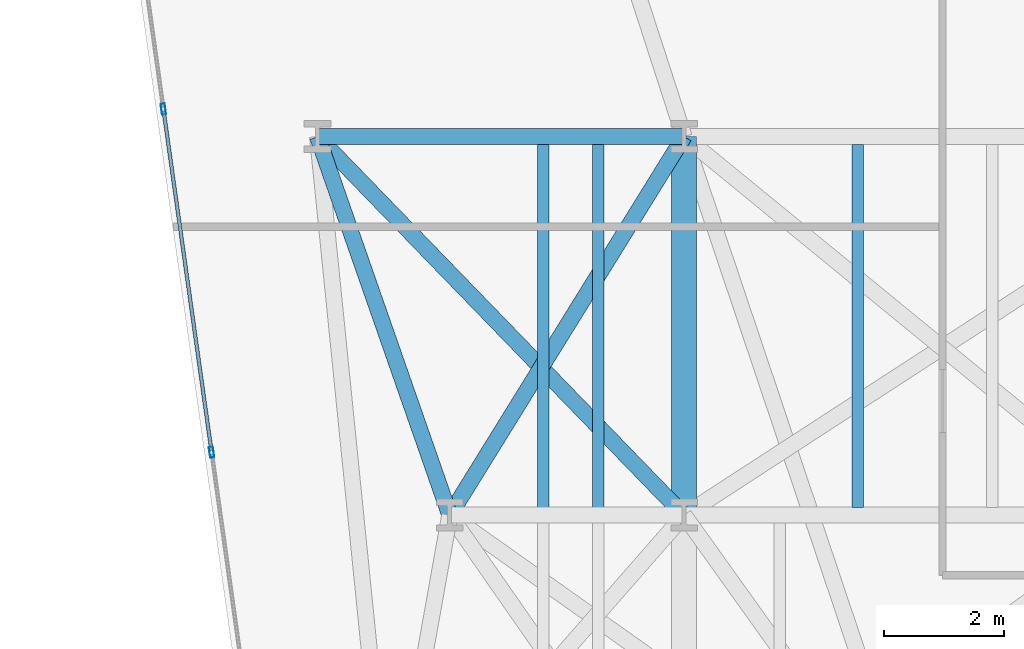
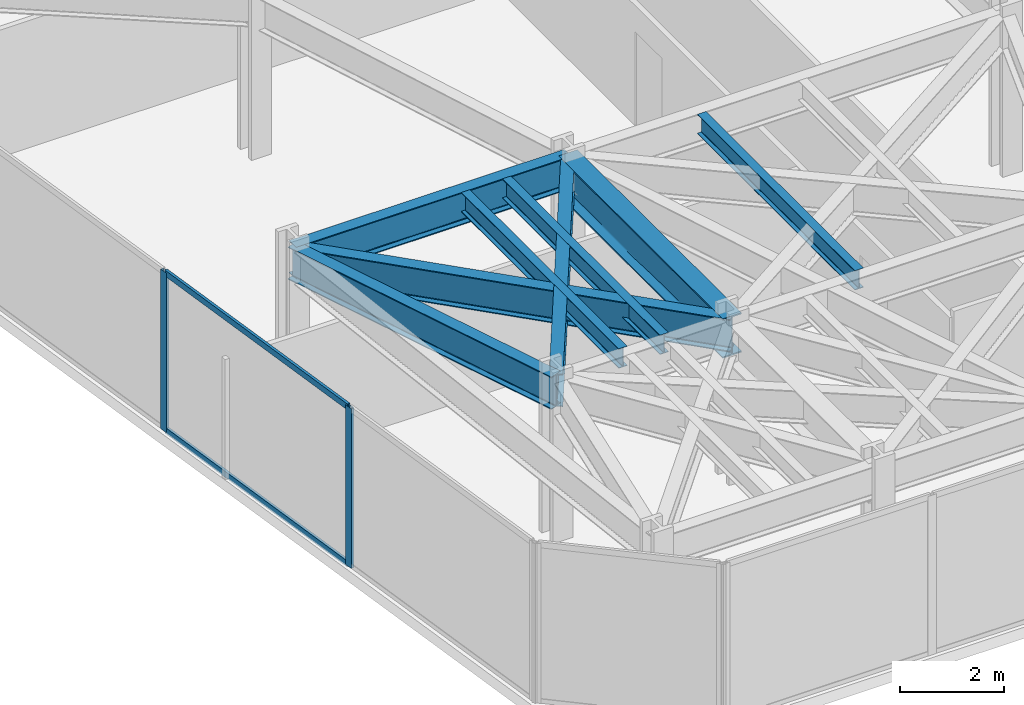
# One storey, part 4 of 25: 8 beams, 4 members, 1 element without a shape of its own.
"""IFC4 building model written with IfcOpenShell, lengths in metres."""

from ifc_helpers import new_model, si_unit, direction, frame, origin, origin_2d, place, context, subcontext, project, spatial, hollow_rectangle, i_section, extrude, material, layer, layer_set, material_profile, profile_set, type_object, element, aggregate, save


model = new_model("IFC4")

# Units and contexts
model_context = context("Model", 3, precision=1e-05, world=origin(), true_north=direction((0.0, 1.0)))
body_context = subcontext(model_context, "Body", "Model", "MODEL_VIEW")
ifc_project = project(units=[si_unit("LENGTHUNIT", "METRE"), si_unit("AREAUNIT", "SQUARE_METRE"), si_unit("VOLUMEUNIT", "CUBIC_METRE"), si_unit("PLANEANGLEUNIT", "RADIAN"), si_unit("MASSUNIT", "GRAM", prefix="KILO")], contexts=[model_context])

# Site, building, storey
site_placement = place(None, origin())
site = spatial("IfcSite", under=ifc_project, at=site_placement, CompositionType="ELEMENT")
building_placement = place(site_placement, origin())
building = spatial("IfcBuilding", under=site, at=building_placement, Name="Kravanh Interchange Tower", CompositionType="ELEMENT")
storey_placement = place(building_placement, frame((0.0, 0.0, 41.5)))
storey = spatial("IfcBuildingStorey", under=building, at=storey_placement, Name="L09", CompositionType="ELEMENT", Elevation=41.5)

# Curtain wall, members
ifc_material_1 = material(Name="Anodised Bronze Aluminium", Category="aluminium")
ifc_layer = layer(ifc_material_1, 0.179931640625)
ifc_layer_set = layer_set([ifc_layer], Name="Unitised Curtain Wall System CW-Z1 Lower Office")
curtain_wall_type = type_object("IfcCurtainWallType", Name="Unitised Curtain Wall System CW-Z1 Lower Office", PredefinedType="NOTDEFINED", material=ifc_layer_set)
curtain_wall_placement = place(storey_placement, origin())
curtain_wall = element("IfcCurtainWall", 1, at=curtain_wall_placement, inside=storey, type_object=curtain_wall_type, Name="L09 Unitised Curtain Wall CW-L09-01", PredefinedType="NOTDEFINED")
ifc_material_2 = material(Name="Anodised Bronze Aluminium", Category="aluminium")
ifc_material_profile_1 = material_profile(ifc_material_2, hollow_rectangle(XDim=0.070068359375, YDim=0.179931640625, WallThickness=0.00390625, at=origin_2d()), Name="ALU70X180X4")
ifc_profile_set_1 = profile_set([ifc_material_profile_1], Name="Anodised Bronze Aluminium")
member_type_1 = type_object("IfcMemberType", Name="Curtain Wall Mullion ALU70X180X4 Bronze", PredefinedType="MULLION", material=ifc_profile_set_1)
member_1_placement = place(storey_placement, frame((9.6376953125, 9.247314453125, 0.0), z_axis=(0.0, 0.0, 1.0), x_axis=(-0.990267585682, -0.139176538065, 0.0)))
member_1 = element("IfcMember", 2, at=member_1_placement, type_object=member_type_1, Name="CW-Z1 mullion 2", PredefinedType="MULLION", context=body_context, shape_type="SweptSolid", body=[
    extrude(hollow_rectangle(XDim=0.070068359375, YDim=0.179931640625, WallThickness=0.00390625, at=origin_2d()), origin(), (0.0, 0.0, 1.0), 3.739990234375),
])
member_2_placement = place(storey_placement, frame((8.835205078125, 14.957763671875, 0.0), z_axis=(0.0, 0.0, 1.0), x_axis=(-0.990267585682, -0.139176538065, 0.0)))
member_2 = element("IfcMember", 3, at=member_2_placement, type_object=member_type_1, Name="CW-Z1 mullion 3", PredefinedType="MULLION", context=body_context, shape_type="SweptSolid", body=[
    extrude(hollow_rectangle(XDim=0.070068359375, YDim=0.179931640625, WallThickness=0.00390625, at=origin_2d()), origin(), (0.0, 0.0, 1.0), 3.739990234375),
])
ifc_material_3 = material(Name="Anodised Bronze Aluminium", Category="aluminium")
ifc_material_profile_2 = material_profile(ifc_material_3, hollow_rectangle(XDim=0.06005859375, YDim=0.139892578125, WallThickness=0.00390625, at=origin_2d()), Name="ALU60X140X4")
ifc_profile_set_2 = profile_set([ifc_material_profile_2], Name="Anodised Bronze Aluminium")
member_type_2 = type_object("IfcMemberType", Name="Curtain Wall Transom ALU60X140X4 Bronze", PredefinedType="USERDEFINED", material=ifc_profile_set_2)
member_3_placement = place(storey_placement, frame((9.633056640625, 9.281982421875, 0.030029296875), z_axis=(-0.139200984921, 0.990264149506, 0.0), x_axis=(-0.990264149506, -0.139200984921, 0.0)))
member_3 = element("IfcMember", 4, at=member_3_placement, type_object=member_type_2, Name="CW-Z1 transom 2.1", ObjectType="TRANSOM", PredefinedType="USERDEFINED", context=body_context, shape_type="SweptSolid", body=[
    extrude(hollow_rectangle(XDim=0.06005859375, YDim=0.139892578125, WallThickness=0.00390625, at=origin_2d()), origin(), (0.0, 0.0, 1.0), 5.696533203125),
])
member_4_placement = place(storey_placement, frame((9.633056640625, 9.281982421875, 3.7099609375), z_axis=(-0.139200984921, 0.990264149506, 0.0), x_axis=(-0.990264149506, -0.139200984921, 0.0)))
member_4 = element("IfcMember", 5, at=member_4_placement, type_object=member_type_2, Name="CW-Z1 transom 2.2", ObjectType="TRANSOM", PredefinedType="USERDEFINED", context=body_context, shape_type="SweptSolid", body=[
    extrude(hollow_rectangle(XDim=0.06005859375, YDim=0.139892578125, WallThickness=0.00390625, at=origin_2d()), origin(), (0.0, 0.0, 1.0), 5.696533203125),
])
aggregate(curtain_wall, [member_1, member_2, member_3, member_4])

# Beams
ifc_material_4 = material(Name="Structural Steel S355", Category="steel")
ifc_material_profile_3 = material_profile(ifc_material_4, i_section(OverallWidth=0.41796875, OverallDepth=0.927001953125, WebThickness=0.019287109375, FlangeThickness=0.031982421875, FilletRadius=0.028076171875, at=origin_2d()), Name="W36X231")
ifc_profile_set_3 = profile_set([ifc_material_profile_3], Name="Structural Steel S355")
beam_type_1 = type_object("IfcBeamType", Name="Floor Beam W36X231 Structural Steel S355", PredefinedType="BEAM", material=ifc_profile_set_3)
beam_1_placement = place(storey_placement, frame((17.5, 8.199951171875, 3.276611328125), z_axis=(0.0, 1.0, 0.0), x_axis=(-1.0, 0.0, 0.0)))
element("IfcBeam", 6, at=beam_1_placement, inside=storey, type_object=beam_type_1, Name="L09 Primary Floor Girder 136", PredefinedType="BEAM", context=body_context, shape_type="SweptSolid", body=[
    extrude(i_section(OverallWidth=0.41796875, OverallDepth=0.927001953125, WebThickness=0.019287109375, FlangeThickness=0.031982421875, FilletRadius=0.028076171875, at=origin_2d()), origin(), (0.0, 0.0, 1.0), 6.300048828125),
])
ifc_material_5 = material(Name="Structural Steel S355", Category="steel")
ifc_material_profile_4 = material_profile(ifc_material_5, i_section(OverallWidth=0.18994140625, OverallDepth=0.45703125, WebThickness=0.009033203125, FlangeThickness=0.014404296875, FilletRadius=0.01806640625, at=origin_2d()), Name="W18X50")
ifc_profile_set_4 = profile_set([ifc_material_profile_4], Name="Structural Steel S355")
beam_type_2 = type_object("IfcBeamType", Name="Floor Joist W18X50 Structural Steel S355", PredefinedType="JOIST", material=ifc_profile_set_4)
for number, where, z_axis, x_axis, name in (
    (7, (15.159912109375, 8.32861328125, 3.511474609375), (0.0, 1.0, 0.0), (-1.0, 0.0, 0.0), "L09 Secondary Floor Joist 7"),
    (8, (16.070068359375, 8.32861328125, 3.511474609375), (0.0, 1.0, 0.0), (-1.0, 0.0, 0.0), "L09 Secondary Floor Joist 8"),
    (9, (20.389892578125, 8.32861328125, 3.511474609375), (0.0, 1.0, 0.0), (-1.0, 0.0, 0.0), "L09 Secondary Floor Joist 9"),
):
    element("IfcBeam", number, at=place(storey_placement, frame(where, z_axis=z_axis, x_axis=x_axis)), inside=storey, type_object=beam_type_2, Name=name, PredefinedType="JOIST", context=body_context, shape_type="SweptSolid", body=[
        extrude(i_section(OverallWidth=0.18994140625, OverallDepth=0.45703125, WebThickness=0.009033203125, FlangeThickness=0.014404296875, FilletRadius=0.01806640625, at=origin_2d()), origin(), (0.0, 0.0, 1.0), 6.04296875),
    ])
ifc_material_6 = material(Name="Structural Steel S355", Category="steel")
ifc_material_profile_5 = material_profile(ifc_material_6, i_section(OverallWidth=0.26708984375, OverallDepth=0.761962890625, WebThickness=0.014404296875, FlangeThickness=0.021484375, FilletRadius=0.02490234375, at=origin_2d()), Name="W30X116")
ifc_profile_set_5 = profile_set([ifc_material_profile_5], Name="Structural Steel S355")
beam_type_3 = type_object("IfcBeamType", Name="Floor Spandrel W30X116 Structural Steel S355", PredefinedType="SPANDREL", material=ifc_profile_set_5)
beam_2_placement = place(storey_placement, frame((13.60009765625, 8.199951171875, 3.35888671875), z_axis=(-0.329706642337, 0.944083433812, 0.0), x_axis=(-0.944083433812, -0.329706642337, 0.0)))
element("IfcBeam", 10, at=beam_2_placement, inside=storey, type_object=beam_type_3, Name="L09 Perimeter Spandrel 134", PredefinedType="SPANDREL", context=body_context, shape_type="SweptSolid", body=[
    extrude(i_section(OverallWidth=0.26708984375, OverallDepth=0.761962890625, WebThickness=0.014404296875, FlangeThickness=0.021484375, FilletRadius=0.02490234375, at=origin_2d()), origin(), (0.0, 0.0, 1.0), 6.673095703125),
])
beam_3_placement = place(storey_placement, frame((13.60009765625, 8.199951171875, 3.35888671875), z_axis=(0.5263421368, 0.850272870923, 0.0), x_axis=(-0.850272870923, 0.5263421368, 0.0)))
element("IfcBeam", 11, at=beam_3_placement, inside=storey, type_object=beam_type_3, Name="L09 Perimeter Spandrel 135", PredefinedType="SPANDREL", context=body_context, shape_type="SweptSolid", body=[
    extrude(i_section(OverallWidth=0.26708984375, OverallDepth=0.761962890625, WebThickness=0.014404296875, FlangeThickness=0.021484375, FilletRadius=0.02490234375, at=origin_2d()), origin(), (0.0, 0.0, 1.0), 7.409423828125),
])
beam_4_placement = place(storey_placement, frame((17.5, 8.199951171875, 3.35888671875), z_axis=(-0.695614323867, 0.718415417729, 0.0), x_axis=(-0.718415417729, -0.695614323867, 0.0)))
element("IfcBeam", 12, at=beam_4_placement, inside=storey, type_object=beam_type_3, Name="L09 Perimeter Spandrel 138", PredefinedType="SPANDREL", context=body_context, shape_type="SweptSolid", body=[
    extrude(i_section(OverallWidth=0.26708984375, OverallDepth=0.761962890625, WebThickness=0.014404296875, FlangeThickness=0.021484375, FilletRadius=0.02490234375, at=origin_2d()), origin(), (0.0, 0.0, 1.0), 8.769287109375),
])
beam_5_placement = place(storey_placement, frame((11.39990234375, 14.5, 3.35888671875), z_axis=(1.0, 0.0, 0.0), x_axis=(0.0, 1.0, 0.0)))
element("IfcBeam", 13, at=beam_5_placement, inside=storey, type_object=beam_type_3, Name="L09 Perimeter Spandrel 143", PredefinedType="SPANDREL", context=body_context, shape_type="SweptSolid", body=[
    extrude(i_section(OverallWidth=0.26708984375, OverallDepth=0.761962890625, WebThickness=0.014404296875, FlangeThickness=0.021484375, FilletRadius=0.02490234375, at=origin_2d()), origin(), (0.0, 0.0, 1.0), 6.10009765625),
])

save(model, "model.ifc")
